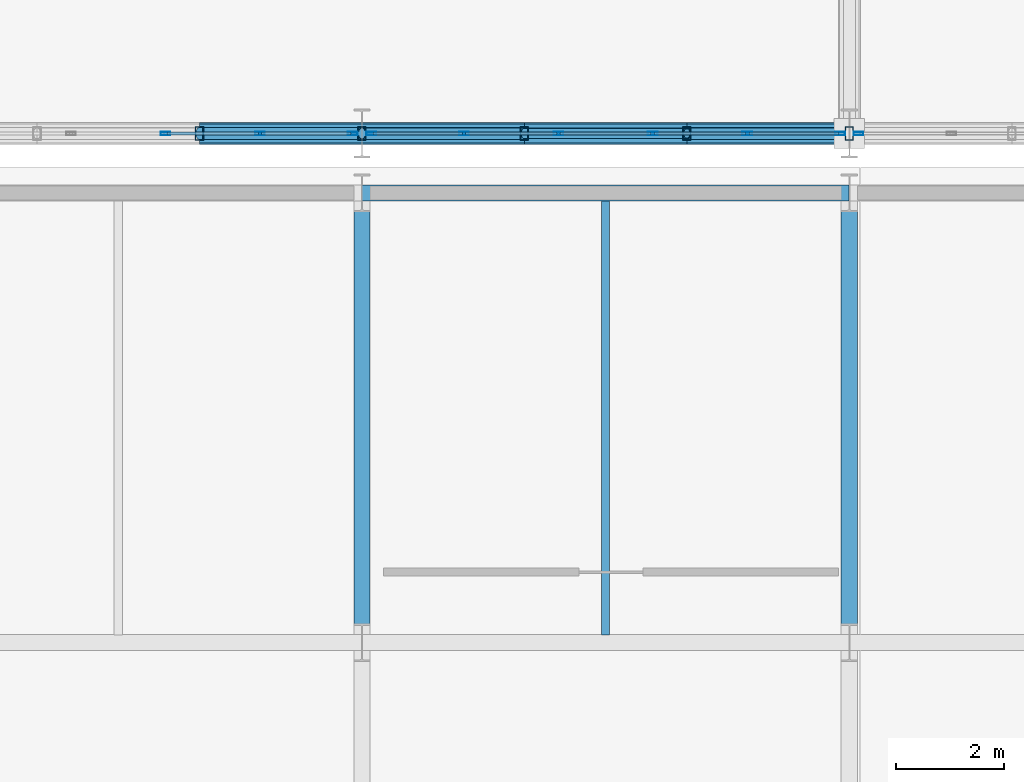
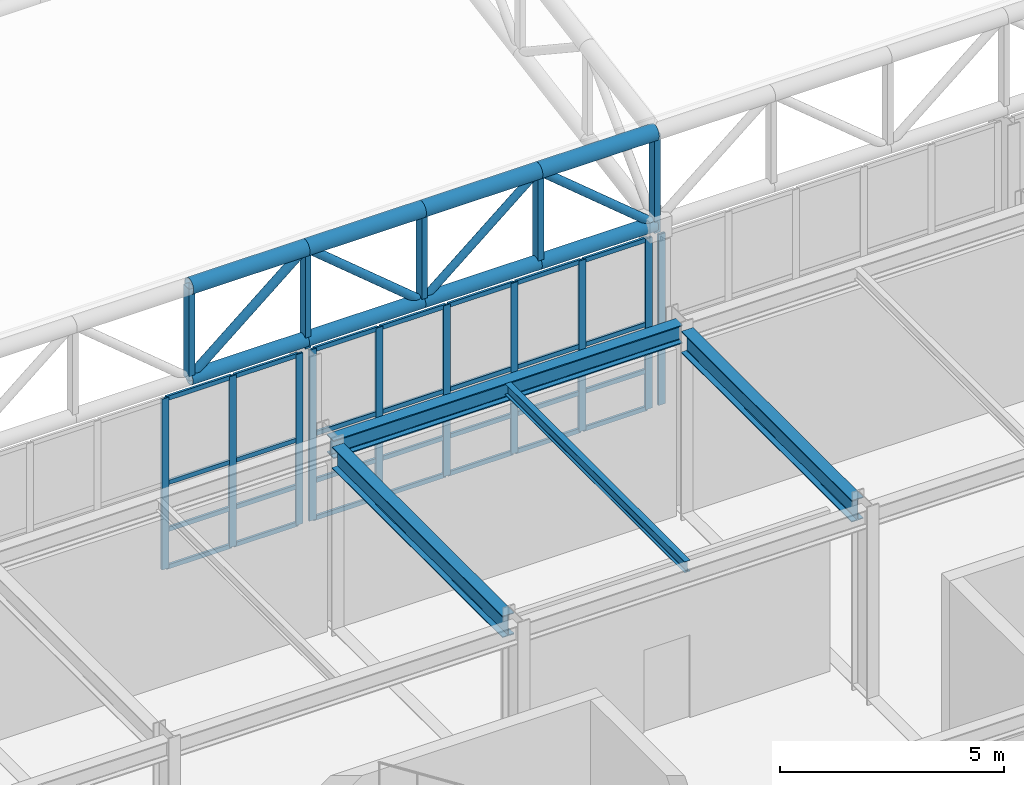
# One storey, part 68 of 239: 55 members, 4 beams, 3 elements without a shape of their own.
"""IFC4 building model written with IfcOpenShell, lengths in metres."""

from ifc_helpers import new_model, si_unit, direction, frame, origin, origin_2d, place, context, subcontext, project, spatial, hollow_rectangle, hollow_circle, i_section, extrude, material, material_profile, profile_set, type_object, element, aggregate, save


model = new_model("IFC4")

# Units and contexts
model_context = context("Model", 3, precision=1e-05, world=origin(), true_north=direction((0.0, 1.0)))
body_context = subcontext(model_context, "Body", "Model", "MODEL_VIEW")
ifc_project = project(units=[si_unit("LENGTHUNIT", "METRE"), si_unit("AREAUNIT", "SQUARE_METRE"), si_unit("VOLUMEUNIT", "CUBIC_METRE"), si_unit("PLANEANGLEUNIT", "RADIAN"), si_unit("MASSUNIT", "GRAM", prefix="KILO")], contexts=[model_context])

# Site, building, storey
site_placement = place(None, origin())
site = spatial("IfcSite", under=ifc_project, at=site_placement, CompositionType="ELEMENT")
building_placement = place(site_placement, origin())
building = spatial("IfcBuilding", under=site, at=building_placement, Name="Kaldris Quays Convention Centre", CompositionType="ELEMENT")
storey_placement = place(building_placement, frame((0.0, 0.0, 11.39990234375)))
storey = spatial("IfcBuildingStorey", under=building, at=storey_placement, Name="L02", CompositionType="ELEMENT", Elevation=11.39990234375)

# Curtain wall, members
ifc_material_1 = material(Name="Anodized aluminium AW-6060 and triple glazing", Category="aluminium")
curtain_wall_type = type_object("IfcCurtainWallType", Name="UNITISED CURTAIN WALL CW03", PredefinedType="NOTDEFINED", material=ifc_material_1)
curtain_wall_1_placement = place(storey_placement, origin())
curtain_wall_1 = element("IfcCurtainWall", 1, at=curtain_wall_1_placement, inside=storey, type_object=curtain_wall_type, Name="L02 Unitised Curtain Wall CW03 247", PredefinedType="NOTDEFINED")
ifc_material_2 = material(Name="Anodized aluminium AW-6060", Category="aluminium")
ifc_material_profile_1 = material_profile(ifc_material_2, hollow_rectangle(XDim=0.06005859375, YDim=0.179931640625, WallThickness=0.0048828125, at=origin_2d()), Name="RHS 180x60x5")
ifc_profile_set_1 = profile_set([ifc_material_profile_1], Name="Anodized aluminium AW-6060")
member_type_1 = type_object("IfcMemberType", Name="CURTAIN MULLION CWM2", PredefinedType="MULLION", material=ifc_profile_set_1)
member_1_placement = place(storey_placement, frame((115.3720703125, 56.0, 2.195068359375), z_axis=(0.0, 0.0, 1.0), x_axis=(0.0, 1.0, 0.0)))
member_1 = element("IfcMember", 2, at=member_1_placement, type_object=member_type_1, Name="CW03 mullion 4", PredefinedType="MULLION", context=body_context, shape_type="SweptSolid", body=[
    extrude(hollow_rectangle(XDim=0.06005859375, YDim=0.179931640625, WallThickness=0.0048828125, at=origin_2d()), origin(), (0.0, 0.0, 1.0), 4.655029296875),
])
member_2_placement = place(storey_placement, frame((117.115966796875, 56.0, 2.195068359375), z_axis=(0.0, 0.0, 1.0), x_axis=(0.0, 1.0, 0.0)))
member_2 = element("IfcMember", 3, at=member_2_placement, type_object=member_type_1, Name="CW03 mullion 5", PredefinedType="MULLION", context=body_context, shape_type="SweptSolid", body=[
    extrude(hollow_rectangle(XDim=0.06005859375, YDim=0.179931640625, WallThickness=0.0048828125, at=origin_2d()), origin(), (0.0, 0.0, 1.0), 4.655029296875),
])
member_3_placement = place(storey_placement, frame((118.830078125, 56.0, 2.195068359375), z_axis=(0.0, 0.0, 1.0), x_axis=(0.0, 1.0, 0.0)))
member_3 = element("IfcMember", 4, at=member_3_placement, type_object=member_type_1, Name="CW03 mullion 6", PredefinedType="MULLION", context=body_context, shape_type="SweptSolid", body=[
    extrude(hollow_rectangle(XDim=0.06005859375, YDim=0.179931640625, WallThickness=0.0048828125, at=origin_2d()), origin(), (0.0, 0.0, 1.0), 4.655029296875),
])

curtain_wall_2_placement = place(storey_placement, origin())
curtain_wall_2 = element("IfcCurtainWall", 5, at=curtain_wall_2_placement, inside=storey, type_object=curtain_wall_type, Name="L02 Unitised Curtain Wall CW03 249", PredefinedType="NOTDEFINED")
member_4_placement = place(storey_placement, frame((119.169921875, 56.0, 2.195068359375), z_axis=(0.0, 0.0, 1.0), x_axis=(0.0, 1.0, 0.0)))
member_4 = element("IfcMember", 6, at=member_4_placement, type_object=member_type_1, Name="CW03 mullion 1", PredefinedType="MULLION", context=body_context, shape_type="SweptSolid", body=[
    extrude(hollow_rectangle(XDim=0.06005859375, YDim=0.179931640625, WallThickness=0.0048828125, at=origin_2d()), origin(), (0.0, 0.0, 1.0), 4.655029296875),
])
member_5_placement = place(storey_placement, frame((120.884033203125, 56.0, 2.195068359375), z_axis=(0.0, 0.0, 1.0), x_axis=(0.0, 1.0, 0.0)))
member_5 = element("IfcMember", 7, at=member_5_placement, type_object=member_type_1, Name="CW03 mullion 2", PredefinedType="MULLION", context=body_context, shape_type="SweptSolid", body=[
    extrude(hollow_rectangle(XDim=0.06005859375, YDim=0.179931640625, WallThickness=0.0048828125, at=origin_2d()), origin(), (0.0, 0.0, 1.0), 4.655029296875),
])
member_6_placement = place(storey_placement, frame((122.6279296875, 56.0, 2.195068359375), z_axis=(0.0, 0.0, 1.0), x_axis=(0.0, 1.0, 0.0)))
member_6 = element("IfcMember", 8, at=member_6_placement, type_object=member_type_1, Name="CW03 mullion 3", PredefinedType="MULLION", context=body_context, shape_type="SweptSolid", body=[
    extrude(hollow_rectangle(XDim=0.06005859375, YDim=0.179931640625, WallThickness=0.0048828125, at=origin_2d()), origin(), (0.0, 0.0, 1.0), 4.655029296875),
])
member_7_placement = place(storey_placement, frame((124.3720703125, 56.0, 2.195068359375), z_axis=(0.0, 0.0, 1.0), x_axis=(0.0, 1.0, 0.0)))
member_7 = element("IfcMember", 9, at=member_7_placement, type_object=member_type_1, Name="CW03 mullion 4", PredefinedType="MULLION", context=body_context, shape_type="SweptSolid", body=[
    extrude(hollow_rectangle(XDim=0.06005859375, YDim=0.179931640625, WallThickness=0.0048828125, at=origin_2d()), origin(), (0.0, 0.0, 1.0), 4.655029296875),
])
member_8_placement = place(storey_placement, frame((126.115966796875, 56.0, 2.195068359375), z_axis=(0.0, 0.0, 1.0), x_axis=(0.0, 1.0, 0.0)))
member_8 = element("IfcMember", 10, at=member_8_placement, type_object=member_type_1, Name="CW03 mullion 5", PredefinedType="MULLION", context=body_context, shape_type="SweptSolid", body=[
    extrude(hollow_rectangle(XDim=0.06005859375, YDim=0.179931640625, WallThickness=0.0048828125, at=origin_2d()), origin(), (0.0, 0.0, 1.0), 4.655029296875),
])
member_9_placement = place(storey_placement, frame((127.830078125, 56.0, 2.195068359375), z_axis=(0.0, 0.0, 1.0), x_axis=(0.0, 1.0, 0.0)))
member_9 = element("IfcMember", 11, at=member_9_placement, type_object=member_type_1, Name="CW03 mullion 6", PredefinedType="MULLION", context=body_context, shape_type="SweptSolid", body=[
    extrude(hollow_rectangle(XDim=0.06005859375, YDim=0.179931640625, WallThickness=0.0048828125, at=origin_2d()), origin(), (0.0, 0.0, 1.0), 4.655029296875),
])

# Curtain wall, member
curtain_wall_3_placement = place(storey_placement, origin())
curtain_wall_3 = element("IfcCurtainWall", 12, at=curtain_wall_3_placement, inside=storey, type_object=curtain_wall_type, Name="L02 Unitised Curtain Wall CW03 251", PredefinedType="NOTDEFINED")
member_10_placement = place(storey_placement, frame((128.169921875, 56.0, 2.195068359375), z_axis=(0.0, 0.0, 1.0), x_axis=(0.0, 1.0, 0.0)))
member_10 = element("IfcMember", 13, at=member_10_placement, type_object=member_type_1, Name="CW03 mullion 1", PredefinedType="MULLION", context=body_context, shape_type="SweptSolid", body=[
    extrude(hollow_rectangle(XDim=0.06005859375, YDim=0.179931640625, WallThickness=0.0048828125, at=origin_2d()), origin(), (0.0, 0.0, 1.0), 4.655029296875),
])
aggregate(curtain_wall_3, [member_10])

# Member
ifc_material_profile_2 = material_profile(ifc_material_2, hollow_rectangle(XDim=0.06005859375, YDim=0.1201171875, WallThickness=0.00390625, at=origin_2d()), Name="RHS 120x60x4")
ifc_profile_set_2 = profile_set([ifc_material_profile_2], Name="Anodized aluminium AW-6060")
member_type_2 = type_object("IfcMemberType", Name="CURTAIN TRANSOM CWT1", PredefinedType="USERDEFINED", material=ifc_profile_set_2)
member_11_placement = place(storey_placement, frame((115.402099609375, 56.0, 2.22509765625), z_axis=(1.0, 0.0, 0.0), x_axis=(0.0, 1.0, 0.0)))
member_11 = element("IfcMember", 14, at=member_11_placement, type_object=member_type_2, Name="CW03 transom 4.1", ObjectType="TRANSOM", PredefinedType="USERDEFINED", context=body_context, shape_type="SweptSolid", body=[
    extrude(hollow_rectangle(XDim=0.06005859375, YDim=0.1201171875, WallThickness=0.00390625, at=origin_2d()), origin(), (0.0, 0.0, 1.0), 1.683837890625),
])

member_12_placement = place(storey_placement, frame((115.402099609375, 56.0, 3.2451171875), z_axis=(1.0, 0.0, 0.0), x_axis=(0.0, 1.0, 0.0)))
member_12 = element("IfcMember", 15, at=member_12_placement, type_object=member_type_2, Name="CW03 transom 4.2", ObjectType="TRANSOM", PredefinedType="USERDEFINED", context=body_context, shape_type="SweptSolid", body=[
    extrude(hollow_rectangle(XDim=0.06005859375, YDim=0.1201171875, WallThickness=0.00390625, at=origin_2d()), origin(), (0.0, 0.0, 1.0), 1.683837890625),
])

member_13_placement = place(storey_placement, frame((115.402099609375, 56.0, 4.522216796875), z_axis=(1.0, 0.0, 0.0), x_axis=(0.0, 1.0, 0.0)))
member_13 = element("IfcMember", 16, at=member_13_placement, type_object=member_type_2, Name="CW03 transom 4.3", ObjectType="TRANSOM", PredefinedType="USERDEFINED", context=body_context, shape_type="SweptSolid", body=[
    extrude(hollow_rectangle(XDim=0.06005859375, YDim=0.1201171875, WallThickness=0.00390625, at=origin_2d()), origin(), (0.0, 0.0, 1.0), 1.683837890625),
])

member_14_placement = place(storey_placement, frame((115.402099609375, 56.0, 6.820068359375), z_axis=(1.0, 0.0, 0.0), x_axis=(0.0, 1.0, 0.0)))
member_14 = element("IfcMember", 17, at=member_14_placement, type_object=member_type_2, Name="CW03 transom 4.4", ObjectType="TRANSOM", PredefinedType="USERDEFINED", context=body_context, shape_type="SweptSolid", body=[
    extrude(hollow_rectangle(XDim=0.06005859375, YDim=0.1201171875, WallThickness=0.00390625, at=origin_2d()), origin(), (0.0, 0.0, 1.0), 1.683837890625),
])

member_15_placement = place(storey_placement, frame((117.14599609375, 56.0, 2.22509765625), z_axis=(1.0, 0.0, 0.0), x_axis=(0.0, 1.0, 0.0)))
member_15 = element("IfcMember", 18, at=member_15_placement, type_object=member_type_2, Name="CW03 transom 5.1", ObjectType="TRANSOM", PredefinedType="USERDEFINED", context=body_context, shape_type="SweptSolid", body=[
    extrude(hollow_rectangle(XDim=0.06005859375, YDim=0.1201171875, WallThickness=0.00390625, at=origin_2d()), origin(), (0.0, 0.0, 1.0), 1.654052734375),
])

member_16_placement = place(storey_placement, frame((117.14599609375, 56.0, 3.2451171875), z_axis=(1.0, 0.0, 0.0), x_axis=(0.0, 1.0, 0.0)))
member_16 = element("IfcMember", 19, at=member_16_placement, type_object=member_type_2, Name="CW03 transom 5.2", ObjectType="TRANSOM", PredefinedType="USERDEFINED", context=body_context, shape_type="SweptSolid", body=[
    extrude(hollow_rectangle(XDim=0.06005859375, YDim=0.1201171875, WallThickness=0.00390625, at=origin_2d()), origin(), (0.0, 0.0, 1.0), 1.654052734375),
])

member_17_placement = place(storey_placement, frame((117.14599609375, 56.0, 4.522216796875), z_axis=(1.0, 0.0, 0.0), x_axis=(0.0, 1.0, 0.0)))
member_17 = element("IfcMember", 20, at=member_17_placement, type_object=member_type_2, Name="CW03 transom 5.3", ObjectType="TRANSOM", PredefinedType="USERDEFINED", context=body_context, shape_type="SweptSolid", body=[
    extrude(hollow_rectangle(XDim=0.06005859375, YDim=0.1201171875, WallThickness=0.00390625, at=origin_2d()), origin(), (0.0, 0.0, 1.0), 1.654052734375),
])

member_18_placement = place(storey_placement, frame((117.14599609375, 56.0, 6.820068359375), z_axis=(1.0, 0.0, 0.0), x_axis=(0.0, 1.0, 0.0)))
member_18 = element("IfcMember", 21, at=member_18_placement, type_object=member_type_2, Name="CW03 transom 5.4", ObjectType="TRANSOM", PredefinedType="USERDEFINED", context=body_context, shape_type="SweptSolid", body=[
    extrude(hollow_rectangle(XDim=0.06005859375, YDim=0.1201171875, WallThickness=0.00390625, at=origin_2d()), origin(), (0.0, 0.0, 1.0), 1.654052734375),
])

aggregate(curtain_wall_1, [member_1, member_2, member_3, member_11, member_12, member_13, member_14, member_15, member_16, member_17, member_18])

member_19_placement = place(storey_placement, frame((119.199951171875, 56.0, 2.22509765625), z_axis=(1.0, 0.0, 0.0), x_axis=(0.0, 1.0, 0.0)))
member_19 = element("IfcMember", 22, at=member_19_placement, type_object=member_type_2, Name="CW03 transom 1.1", ObjectType="TRANSOM", PredefinedType="USERDEFINED", context=body_context, shape_type="SweptSolid", body=[
    extrude(hollow_rectangle(XDim=0.06005859375, YDim=0.1201171875, WallThickness=0.00390625, at=origin_2d()), origin(), (0.0, 0.0, 1.0), 1.654052734375),
])

member_20_placement = place(storey_placement, frame((119.199951171875, 56.0, 3.2451171875), z_axis=(1.0, 0.0, 0.0), x_axis=(0.0, 1.0, 0.0)))
member_20 = element("IfcMember", 23, at=member_20_placement, type_object=member_type_2, Name="CW03 transom 1.2", ObjectType="TRANSOM", PredefinedType="USERDEFINED", context=body_context, shape_type="SweptSolid", body=[
    extrude(hollow_rectangle(XDim=0.06005859375, YDim=0.1201171875, WallThickness=0.00390625, at=origin_2d()), origin(), (0.0, 0.0, 1.0), 1.654052734375),
])

member_21_placement = place(storey_placement, frame((119.199951171875, 56.0, 4.522216796875), z_axis=(1.0, 0.0, 0.0), x_axis=(0.0, 1.0, 0.0)))
member_21 = element("IfcMember", 24, at=member_21_placement, type_object=member_type_2, Name="CW03 transom 1.3", ObjectType="TRANSOM", PredefinedType="USERDEFINED", context=body_context, shape_type="SweptSolid", body=[
    extrude(hollow_rectangle(XDim=0.06005859375, YDim=0.1201171875, WallThickness=0.00390625, at=origin_2d()), origin(), (0.0, 0.0, 1.0), 1.654052734375),
])

member_22_placement = place(storey_placement, frame((119.199951171875, 56.0, 6.820068359375), z_axis=(1.0, 0.0, 0.0), x_axis=(0.0, 1.0, 0.0)))
member_22 = element("IfcMember", 25, at=member_22_placement, type_object=member_type_2, Name="CW03 transom 1.4", ObjectType="TRANSOM", PredefinedType="USERDEFINED", context=body_context, shape_type="SweptSolid", body=[
    extrude(hollow_rectangle(XDim=0.06005859375, YDim=0.1201171875, WallThickness=0.00390625, at=origin_2d()), origin(), (0.0, 0.0, 1.0), 1.654052734375),
])

member_23_placement = place(storey_placement, frame((120.9140625, 56.0, 2.22509765625), z_axis=(1.0, 0.0, 0.0), x_axis=(0.0, 1.0, 0.0)))
member_23 = element("IfcMember", 26, at=member_23_placement, type_object=member_type_2, Name="CW03 transom 2.1", ObjectType="TRANSOM", PredefinedType="USERDEFINED", context=body_context, shape_type="SweptSolid", body=[
    extrude(hollow_rectangle(XDim=0.06005859375, YDim=0.1201171875, WallThickness=0.00390625, at=origin_2d()), origin(), (0.0, 0.0, 1.0), 1.683837890625),
])

member_24_placement = place(storey_placement, frame((120.9140625, 56.0, 3.2451171875), z_axis=(1.0, 0.0, 0.0), x_axis=(0.0, 1.0, 0.0)))
member_24 = element("IfcMember", 27, at=member_24_placement, type_object=member_type_2, Name="CW03 transom 2.2", ObjectType="TRANSOM", PredefinedType="USERDEFINED", context=body_context, shape_type="SweptSolid", body=[
    extrude(hollow_rectangle(XDim=0.06005859375, YDim=0.1201171875, WallThickness=0.00390625, at=origin_2d()), origin(), (0.0, 0.0, 1.0), 1.683837890625),
])

member_25_placement = place(storey_placement, frame((120.9140625, 56.0, 4.522216796875), z_axis=(1.0, 0.0, 0.0), x_axis=(0.0, 1.0, 0.0)))
member_25 = element("IfcMember", 28, at=member_25_placement, type_object=member_type_2, Name="CW03 transom 2.3", ObjectType="TRANSOM", PredefinedType="USERDEFINED", context=body_context, shape_type="SweptSolid", body=[
    extrude(hollow_rectangle(XDim=0.06005859375, YDim=0.1201171875, WallThickness=0.00390625, at=origin_2d()), origin(), (0.0, 0.0, 1.0), 1.683837890625),
])

member_26_placement = place(storey_placement, frame((120.9140625, 56.0, 6.820068359375), z_axis=(1.0, 0.0, 0.0), x_axis=(0.0, 1.0, 0.0)))
member_26 = element("IfcMember", 29, at=member_26_placement, type_object=member_type_2, Name="CW03 transom 2.4", ObjectType="TRANSOM", PredefinedType="USERDEFINED", context=body_context, shape_type="SweptSolid", body=[
    extrude(hollow_rectangle(XDim=0.06005859375, YDim=0.1201171875, WallThickness=0.00390625, at=origin_2d()), origin(), (0.0, 0.0, 1.0), 1.683837890625),
])

member_27_placement = place(storey_placement, frame((122.657958984375, 56.0, 2.22509765625), z_axis=(1.0, 0.0, 0.0), x_axis=(0.0, 1.0, 0.0)))
member_27 = element("IfcMember", 30, at=member_27_placement, type_object=member_type_2, Name="CW03 transom 3.1", ObjectType="TRANSOM", PredefinedType="USERDEFINED", context=body_context, shape_type="SweptSolid", body=[
    extrude(hollow_rectangle(XDim=0.06005859375, YDim=0.1201171875, WallThickness=0.00390625, at=origin_2d()), origin(), (0.0, 0.0, 1.0), 1.68408203125),
])

member_28_placement = place(storey_placement, frame((122.657958984375, 56.0, 3.2451171875), z_axis=(1.0, 0.0, 0.0), x_axis=(0.0, 1.0, 0.0)))
member_28 = element("IfcMember", 31, at=member_28_placement, type_object=member_type_2, Name="CW03 transom 3.2", ObjectType="TRANSOM", PredefinedType="USERDEFINED", context=body_context, shape_type="SweptSolid", body=[
    extrude(hollow_rectangle(XDim=0.06005859375, YDim=0.1201171875, WallThickness=0.00390625, at=origin_2d()), origin(), (0.0, 0.0, 1.0), 1.68408203125),
])

member_29_placement = place(storey_placement, frame((122.657958984375, 56.0, 4.522216796875), z_axis=(1.0, 0.0, 0.0), x_axis=(0.0, 1.0, 0.0)))
member_29 = element("IfcMember", 32, at=member_29_placement, type_object=member_type_2, Name="CW03 transom 3.3", ObjectType="TRANSOM", PredefinedType="USERDEFINED", context=body_context, shape_type="SweptSolid", body=[
    extrude(hollow_rectangle(XDim=0.06005859375, YDim=0.1201171875, WallThickness=0.00390625, at=origin_2d()), origin(), (0.0, 0.0, 1.0), 1.68408203125),
])

member_30_placement = place(storey_placement, frame((122.657958984375, 56.0, 6.820068359375), z_axis=(1.0, 0.0, 0.0), x_axis=(0.0, 1.0, 0.0)))
member_30 = element("IfcMember", 33, at=member_30_placement, type_object=member_type_2, Name="CW03 transom 3.4", ObjectType="TRANSOM", PredefinedType="USERDEFINED", context=body_context, shape_type="SweptSolid", body=[
    extrude(hollow_rectangle(XDim=0.06005859375, YDim=0.1201171875, WallThickness=0.00390625, at=origin_2d()), origin(), (0.0, 0.0, 1.0), 1.68408203125),
])

member_31_placement = place(storey_placement, frame((124.402099609375, 56.0, 2.22509765625), z_axis=(1.0, 0.0, 0.0), x_axis=(0.0, 1.0, 0.0)))
member_31 = element("IfcMember", 34, at=member_31_placement, type_object=member_type_2, Name="CW03 transom 4.1", ObjectType="TRANSOM", PredefinedType="USERDEFINED", context=body_context, shape_type="SweptSolid", body=[
    extrude(hollow_rectangle(XDim=0.06005859375, YDim=0.1201171875, WallThickness=0.00390625, at=origin_2d()), origin(), (0.0, 0.0, 1.0), 1.683837890625),
])

member_32_placement = place(storey_placement, frame((124.402099609375, 56.0, 3.2451171875), z_axis=(1.0, 0.0, 0.0), x_axis=(0.0, 1.0, 0.0)))
member_32 = element("IfcMember", 35, at=member_32_placement, type_object=member_type_2, Name="CW03 transom 4.2", ObjectType="TRANSOM", PredefinedType="USERDEFINED", context=body_context, shape_type="SweptSolid", body=[
    extrude(hollow_rectangle(XDim=0.06005859375, YDim=0.1201171875, WallThickness=0.00390625, at=origin_2d()), origin(), (0.0, 0.0, 1.0), 1.683837890625),
])

member_33_placement = place(storey_placement, frame((124.402099609375, 56.0, 4.522216796875), z_axis=(1.0, 0.0, 0.0), x_axis=(0.0, 1.0, 0.0)))
member_33 = element("IfcMember", 36, at=member_33_placement, type_object=member_type_2, Name="CW03 transom 4.3", ObjectType="TRANSOM", PredefinedType="USERDEFINED", context=body_context, shape_type="SweptSolid", body=[
    extrude(hollow_rectangle(XDim=0.06005859375, YDim=0.1201171875, WallThickness=0.00390625, at=origin_2d()), origin(), (0.0, 0.0, 1.0), 1.683837890625),
])

member_34_placement = place(storey_placement, frame((124.402099609375, 56.0, 6.820068359375), z_axis=(1.0, 0.0, 0.0), x_axis=(0.0, 1.0, 0.0)))
member_34 = element("IfcMember", 37, at=member_34_placement, type_object=member_type_2, Name="CW03 transom 4.4", ObjectType="TRANSOM", PredefinedType="USERDEFINED", context=body_context, shape_type="SweptSolid", body=[
    extrude(hollow_rectangle(XDim=0.06005859375, YDim=0.1201171875, WallThickness=0.00390625, at=origin_2d()), origin(), (0.0, 0.0, 1.0), 1.683837890625),
])

member_35_placement = place(storey_placement, frame((126.14599609375, 56.0, 2.22509765625), z_axis=(1.0, 0.0, 0.0), x_axis=(0.0, 1.0, 0.0)))
member_35 = element("IfcMember", 38, at=member_35_placement, type_object=member_type_2, Name="CW03 transom 5.1", ObjectType="TRANSOM", PredefinedType="USERDEFINED", context=body_context, shape_type="SweptSolid", body=[
    extrude(hollow_rectangle(XDim=0.06005859375, YDim=0.1201171875, WallThickness=0.00390625, at=origin_2d()), origin(), (0.0, 0.0, 1.0), 1.654052734375),
])

member_36_placement = place(storey_placement, frame((126.14599609375, 56.0, 3.2451171875), z_axis=(1.0, 0.0, 0.0), x_axis=(0.0, 1.0, 0.0)))
member_36 = element("IfcMember", 39, at=member_36_placement, type_object=member_type_2, Name="CW03 transom 5.2", ObjectType="TRANSOM", PredefinedType="USERDEFINED", context=body_context, shape_type="SweptSolid", body=[
    extrude(hollow_rectangle(XDim=0.06005859375, YDim=0.1201171875, WallThickness=0.00390625, at=origin_2d()), origin(), (0.0, 0.0, 1.0), 1.654052734375),
])

member_37_placement = place(storey_placement, frame((126.14599609375, 56.0, 4.522216796875), z_axis=(1.0, 0.0, 0.0), x_axis=(0.0, 1.0, 0.0)))
member_37 = element("IfcMember", 40, at=member_37_placement, type_object=member_type_2, Name="CW03 transom 5.3", ObjectType="TRANSOM", PredefinedType="USERDEFINED", context=body_context, shape_type="SweptSolid", body=[
    extrude(hollow_rectangle(XDim=0.06005859375, YDim=0.1201171875, WallThickness=0.00390625, at=origin_2d()), origin(), (0.0, 0.0, 1.0), 1.654052734375),
])

member_38_placement = place(storey_placement, frame((126.14599609375, 56.0, 6.820068359375), z_axis=(1.0, 0.0, 0.0), x_axis=(0.0, 1.0, 0.0)))
member_38 = element("IfcMember", 41, at=member_38_placement, type_object=member_type_2, Name="CW03 transom 5.4", ObjectType="TRANSOM", PredefinedType="USERDEFINED", context=body_context, shape_type="SweptSolid", body=[
    extrude(hollow_rectangle(XDim=0.06005859375, YDim=0.1201171875, WallThickness=0.00390625, at=origin_2d()), origin(), (0.0, 0.0, 1.0), 1.654052734375),
])

aggregate(curtain_wall_2, [member_4, member_5, member_6, member_7, member_8, member_9, member_19, member_20, member_21, member_22, member_23, member_24, member_25, member_26, member_27, member_28, member_29, member_30, member_31, member_32, member_33, member_34, member_35, member_36, member_37, member_38])

# Beams
ifc_material_3 = material(Name="Steel S355J2", Category="steel")
ifc_material_profile_3 = material_profile(ifc_material_3, i_section(OverallWidth=0.300048828125, OverallDepth=0.5, WebThickness=0.014404296875, FlangeThickness=0.028076171875, FilletRadius=0.027099609375, at=origin_2d()), Name="HEB 500")
ifc_profile_set_3 = profile_set([ifc_material_profile_3], Name="Steel S355J2")
beam_type_1 = type_object("IfcBeamType", Name="STRUCTURAL BEAM BM06", PredefinedType="BEAM", material=ifc_profile_set_3)
beam_1_placement = place(storey_placement, frame((119.00244140625, 54.89990234375, 4.9130859375), z_axis=(1.0, 0.0, 0.0), x_axis=(0.0, 1.0, 0.0)))
element("IfcBeam", 42, at=beam_1_placement, inside=storey, type_object=beam_type_1, Name="L02 Girder BM06 23", PredefinedType="BEAM", context=body_context, shape_type="SweptSolid", body=[
    extrude(i_section(OverallWidth=0.300048828125, OverallDepth=0.5, WebThickness=0.014404296875, FlangeThickness=0.028076171875, FilletRadius=0.027099609375, at=origin_2d()), origin(), (0.0, 0.0, 1.0), 8.9951171875),
])
ifc_material_profile_4 = material_profile(ifc_material_3, i_section(OverallWidth=0.300048828125, OverallDepth=0.590087890625, WebThickness=0.012939453125, FlangeThickness=0.02490234375, FilletRadius=0.027099609375, at=origin_2d()), Name="HEA 600")
ifc_profile_set_4 = profile_set([ifc_material_profile_4], Name="Steel S355J2")
beam_type_2 = type_object("IfcBeamType", Name="STRUCTURAL BEAM BM08", PredefinedType="BEAM", material=ifc_profile_set_4)
for number, where, z_axis, x_axis, name in (
    (43, (119.0, 46.944091796875, 4.8681640625), (0.0, 1.0, 0.0), (-1.0, 0.0, 0.0), "L02 Girder BM08 61"),
    (44, (128.0, 46.944091796875, 4.8681640625), (0.0, 1.0, 0.0), (-1.0, 0.0, 0.0), "L02 Girder BM08 62"),
):
    element("IfcBeam", number, at=place(storey_placement, frame(where, z_axis=z_axis, x_axis=x_axis)), inside=storey, type_object=beam_type_2, Name=name, PredefinedType="BEAM", context=body_context, shape_type="SweptSolid", body=[
        extrude(i_section(OverallWidth=0.300048828125, OverallDepth=0.590087890625, WebThickness=0.012939453125, FlangeThickness=0.02490234375, FilletRadius=0.027099609375, at=origin_2d()), origin(), (0.0, 0.0, 1.0), 7.61181640625),
    ])
ifc_material_profile_5 = material_profile(ifc_material_3, i_section(OverallWidth=0.14990234375, OverallDepth=0.300048828125, WebThickness=0.007080078125, FlangeThickness=0.0107421875, FilletRadius=0.014892578125, at=origin_2d()), Name="IPE 300")
ifc_profile_set_5 = profile_set([ifc_material_profile_5], Name="Steel S355J2")
beam_type_3 = type_object("IfcBeamType", Name="STRUCTURAL BEAM JT04", PredefinedType="JOIST", material=ifc_profile_set_5)
beam_2_placement = place(storey_placement, frame((123.5, 46.743896484375, 5.01318359375), z_axis=(0.0, 1.0, 0.0), x_axis=(-1.0, 0.0, 0.0)))
element("IfcBeam", 45, at=beam_2_placement, inside=storey, type_object=beam_type_3, Name="L02 Secondary Joist JT04 7", PredefinedType="JOIST", context=body_context, shape_type="SweptSolid", body=[
    extrude(i_section(OverallWidth=0.14990234375, OverallDepth=0.300048828125, WebThickness=0.007080078125, FlangeThickness=0.0107421875, FilletRadius=0.014892578125, at=origin_2d()), origin(), (0.0, 0.0, 1.0), 8.01220703125),
])

# Members
ifc_material_4 = material(Name="Steel S355J2H", Category="steel")
ifc_material_profile_6 = material_profile(ifc_material_4, hollow_circle(Radius=0.203125, WallThickness=0.01611328125, at=origin_2d()), Name="CHS 406.4x16")
ifc_profile_set_6 = profile_set([ifc_material_profile_6], Name="Steel S355J2H")
member_type_3 = type_object("IfcMemberType", Name="STRUCTURAL MEMBER SC01", PredefinedType="CHORD", material=ifc_profile_set_6)
for number, where, z_axis, x_axis, name in (
    (46, (116.0, 56.0, 9.671875), (1.0, 0.0, 0.0), (0.0, 1.0, 0.0), "SF-V1 Top Chord X 33"),
    (47, (119.0, 56.0, 9.671875), (1.0, 0.0, 0.0), (0.0, 1.0, 0.0), "SF-V1 Top Chord X 34"),
    (48, (122.0, 56.0, 9.671875), (1.0, 0.0, 0.0), (0.0, 1.0, 0.0), "SF-V1 Top Chord X 35"),
    (49, (125.0, 56.0, 9.671875), (1.0, 0.0, 0.0), (0.0, 1.0, 0.0), "SF-V1 Top Chord X 36"),
):
    element("IfcMember", number, at=place(storey_placement, frame(where, z_axis=z_axis, x_axis=x_axis)), inside=storey, type_object=member_type_3, Name=name, PredefinedType="CHORD", context=body_context, shape_type="SweptSolid", body=[
        extrude(hollow_circle(Radius=0.203125, WallThickness=0.01611328125, at=origin_2d()), origin(), (0.0, 0.0, 1.0), 3.0),
    ])
ifc_material_profile_7 = material_profile(ifc_material_4, hollow_circle(Radius=0.177734375, WallThickness=0.01611328125, at=origin_2d()), Name="CHS 355.6x16")
ifc_profile_set_7 = profile_set([ifc_material_profile_7], Name="Steel S355J2H")
member_type_4 = type_object("IfcMemberType", Name="STRUCTURAL MEMBER SC02", PredefinedType="CHORD", material=ifc_profile_set_7)
for number, where, z_axis, x_axis, name in (
    (50, (116.0, 56.0, 7.171875), (1.0, 0.0, 0.0), (0.0, 1.0, 0.0), "SF-V1 Bottom Chord X 33"),
    (51, (119.0, 56.0, 7.171875), (1.0, 0.0, 0.0), (0.0, 1.0, 0.0), "SF-V1 Bottom Chord X 34"),
    (52, (122.0, 56.0, 7.171875), (1.0, 0.0, 0.0), (0.0, 1.0, 0.0), "SF-V1 Bottom Chord X 35"),
    (53, (125.0, 56.0, 7.171875), (1.0, 0.0, 0.0), (0.0, 1.0, 0.0), "SF-V1 Bottom Chord X 36"),
):
    element("IfcMember", number, at=place(storey_placement, frame(where, z_axis=z_axis, x_axis=x_axis)), inside=storey, type_object=member_type_4, Name=name, PredefinedType="CHORD", context=body_context, shape_type="SweptSolid", body=[
        extrude(hollow_circle(Radius=0.177734375, WallThickness=0.01611328125, at=origin_2d()), origin(), (0.0, 0.0, 1.0), 3.0),
    ])
ifc_material_profile_8 = material_profile(ifc_material_4, hollow_circle(Radius=0.109619140625, WallThickness=0.010009765625, at=origin_2d()), Name="CHS 219.1x10")
ifc_profile_set_8 = profile_set([ifc_material_profile_8], Name="Steel S355J2H")
member_type_5 = type_object("IfcMemberType", Name="STRUCTURAL MEMBER SWB1", PredefinedType="BRACE", material=ifc_profile_set_8)
for number, where, z_axis, x_axis, name in (
    (54, (116.0, 56.0, 7.171875), (0.768221279597, 0.0, 0.640184399664), (0.0, 1.0, 0.0), "SF-V1 Web Diagonal X 33"),
    (55, (122.0, 56.0, 7.171875), (-0.768221279597, 0.0, 0.640184399664), (0.0, -1.0, 0.0), "SF-V1 Web Diagonal X 34"),
    (56, (128.0, 56.0, 7.171875), (-0.768221279597, 0.0, 0.640184399664), (0.0, -1.0, 0.0), "SF-V1 Web Diagonal X 36"),
):
    element("IfcMember", number, at=place(storey_placement, frame(where, z_axis=z_axis, x_axis=x_axis)), inside=storey, type_object=member_type_5, Name=name, PredefinedType="BRACE", context=body_context, shape_type="SweptSolid", body=[
        extrude(hollow_circle(Radius=0.109619140625, WallThickness=0.010009765625, at=origin_2d()), origin(), (0.0, 0.0, 1.0), 3.905029296875),
    ])
ifc_material_profile_9 = material_profile(ifc_material_4, hollow_circle(Radius=0.096923828125, WallThickness=0.008056640625, at=origin_2d()), Name="CHS 193.7x8")
ifc_profile_set_9 = profile_set([ifc_material_profile_9], Name="Steel S355J2H")
member_type_6 = type_object("IfcMemberType", Name="STRUCTURAL MEMBER SWB3", PredefinedType="BRACE", material=ifc_profile_set_9)
member_39_placement = place(storey_placement, frame((122.0, 56.0, 7.171875), z_axis=(0.768221279597, 0.0, 0.640184399664), x_axis=(0.0, 1.0, 0.0)))
element("IfcMember", 57, at=member_39_placement, inside=storey, type_object=member_type_6, Name="SF-V1 Web Diagonal X 35", PredefinedType="BRACE", context=body_context, shape_type="SweptSolid", body=[
    extrude(hollow_circle(Radius=0.096923828125, WallThickness=0.008056640625, at=origin_2d()), origin(), (0.0, 0.0, 1.0), 3.905029296875),
])
ifc_material_profile_10 = material_profile(ifc_material_4, hollow_rectangle(XDim=0.14990234375, YDim=0.25, WallThickness=0.010009765625, at=origin_2d()), Name="RHS 250x150x10")
ifc_profile_set_10 = profile_set([ifc_material_profile_10], Name="Steel S355J2H")
member_type_7 = type_object("IfcMemberType", Name="STRUCTURAL MEMBER TTV1", PredefinedType="POST", material=ifc_profile_set_10)
member_40_placement = place(storey_placement, frame((116.0, 56.0, 7.171875), z_axis=(0.0, 0.0, 1.0), x_axis=(1.0, 0.0, 0.0)))
element("IfcMember", 58, at=member_40_placement, inside=storey, type_object=member_type_7, Name="SF-V1 Space-Frame Post 383", PredefinedType="POST", context=body_context, shape_type="SweptSolid", body=[
    extrude(hollow_rectangle(XDim=0.14990234375, YDim=0.25, WallThickness=0.010009765625, at=origin_2d()), origin(), (0.0, 0.0, 1.0), 2.5),
])
member_41_placement = place(storey_placement, frame((119.0, 56.0, 6.994140625), z_axis=(0.0, 0.0, 1.0), x_axis=(1.0, 0.0, 0.0)))
element("IfcMember", 59, at=member_41_placement, inside=storey, type_object=member_type_7, Name="SF-V1 Space-Frame Post 391", PredefinedType="POST", context=body_context, shape_type="SweptSolid", body=[
    extrude(hollow_rectangle(XDim=0.14990234375, YDim=0.25, WallThickness=0.010009765625, at=origin_2d()), origin(), (0.0, 0.0, 1.0), 2.677734375),
])
for number, where, z_axis, x_axis, name in (
    (60, (122.0, 56.0, 7.171875), (0.0, 0.0, 1.0), (1.0, 0.0, 0.0), "SF-V1 Space-Frame Post 399"),
    (61, (125.0, 56.0, 7.171875), (0.0, 0.0, 1.0), (1.0, 0.0, 0.0), "SF-V1 Space-Frame Post 407"),
):
    element("IfcMember", number, at=place(storey_placement, frame(where, z_axis=z_axis, x_axis=x_axis)), inside=storey, type_object=member_type_7, Name=name, PredefinedType="POST", context=body_context, shape_type="SweptSolid", body=[
        extrude(hollow_rectangle(XDim=0.14990234375, YDim=0.25, WallThickness=0.010009765625, at=origin_2d()), origin(), (0.0, 0.0, 1.0), 2.5),
    ])
member_42_placement = place(storey_placement, frame((128.0, 56.0, 6.994140625), z_axis=(0.0, 0.0, 1.0), x_axis=(1.0, 0.0, 0.0)))
element("IfcMember", 62, at=member_42_placement, inside=storey, type_object=member_type_7, Name="SF-V1 Space-Frame Post 415", PredefinedType="POST", context=body_context, shape_type="SweptSolid", body=[
    extrude(hollow_rectangle(XDim=0.14990234375, YDim=0.25, WallThickness=0.010009765625, at=origin_2d()), origin(), (0.0, 0.0, 1.0), 2.677734375),
])

save(model, "model.ifc")
